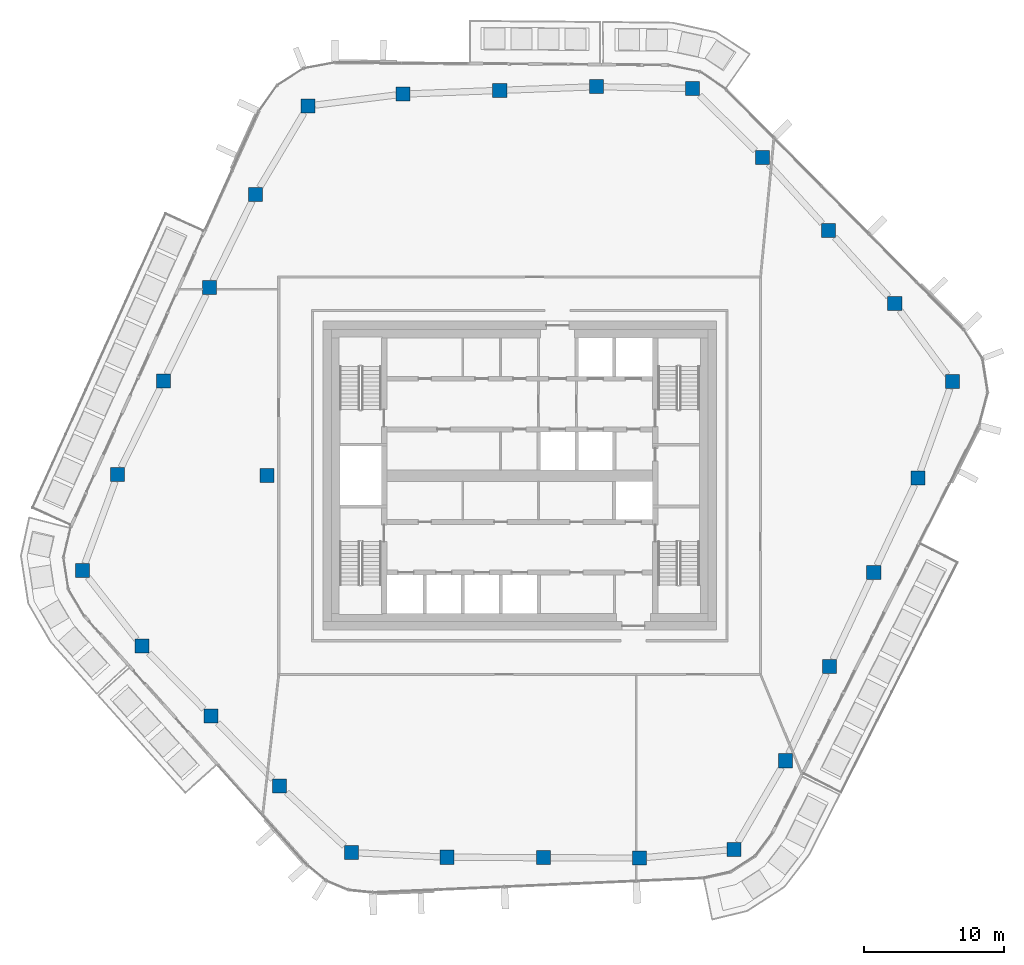
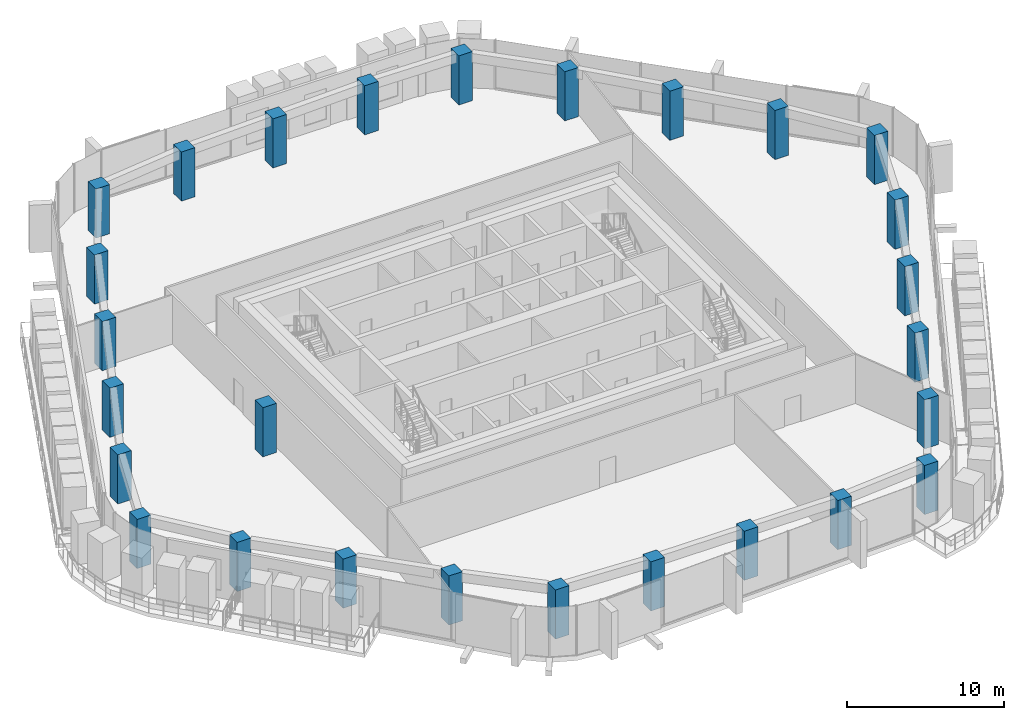
# One storey, part 1 of 23: 27 columns.
"""IFC4 building model written with IfcOpenShell, lengths in metres."""

from ifc_helpers import new_model, si_unit, direction, frame, origin, origin_2d, place, context, subcontext, project, spatial, rectangle, extrude, material, material_profile, profile_set, type_object, element, save


model = new_model("IFC4")

# Units and contexts
model_context = context("Model", 3, precision=1e-05, world=origin(), true_north=direction((0.0, 1.0)))
body_context = subcontext(model_context, "Body", "Model", "MODEL_VIEW")
ifc_project = project(units=[si_unit("LENGTHUNIT", "METRE"), si_unit("AREAUNIT", "SQUARE_METRE"), si_unit("VOLUMEUNIT", "CUBIC_METRE"), si_unit("PLANEANGLEUNIT", "RADIAN"), si_unit("MASSUNIT", "GRAM", prefix="KILO")], contexts=[model_context])

# Site, building, storey
site_placement = place(None, origin())
site = spatial("IfcSite", under=ifc_project, at=site_placement, CompositionType="ELEMENT")
building_placement = place(site_placement, origin())
building = spatial("IfcBuilding", under=site, at=building_placement, Name="Dongbaek Canopy Tower", CompositionType="ELEMENT")
storey_placement = place(building_placement, frame((0.0, 0.0, 323.60009765625)))
storey = spatial("IfcBuildingStorey", under=building, at=storey_placement, Name="L69", CompositionType="ELEMENT", Elevation=323.60009765625)

# Columns
ifc_material = material(Name="Concrete C60", Category="concrete")
ifc_material_profile = material_profile(ifc_material, rectangle(XDim=1.0, YDim=1.0, at=origin_2d()), Name="RC COLUMN 1000x1000 C60")
ifc_profile_set = profile_set([ifc_material_profile], Name="Concrete C60")
column_type = type_object("IfcColumnType", Name="RC COLUMN 1000x1000 C60", PredefinedType="COLUMN", material=ifc_profile_set)
for number, where, z_axis, x_axis, name in (
    (1, (15.251953125, -26.60693359375, 0.0), (0.0, 0.0, 1.0), (1.0, 0.0, 0.0), "COL:CZ5-01:L69"),
    (2, (8.533935546875, -27.22705078125, 0.0), (0.0, 0.0, 1.0), (1.0, 0.0, 0.0), "COL:CZ5-02:L69"),
    (3, (1.68310546875, -27.197021484375, 0.0), (0.0, 0.0, 1.0), (1.0, 0.0, 0.0), "COL:CZ5-03:L69"),
    (4, (-5.166015625, -27.1669921875, 0.0), (0.0, 0.0, 1.0), (1.0, 0.0, 0.0), "COL:CZ5-04:L69"),
    (5, (-11.985107421875, -26.8310546875, 0.0), (0.0, 0.0, 1.0), (1.0, 0.0, 0.0), "COL:CZ5-05:L69"),
    (6, (-17.083984375, -22.089111328125, 0.0), (0.0, 0.0, 1.0), (1.0, 0.0, 0.0), "COL:CZ5-06:L69"),
    (7, (-21.986083984375, -17.112060546875, 0.0), (0.0, 0.0, 1.0), (1.0, 0.0, 0.0), "COL:CZ5-07:L69"),
    (8, (-26.888916015625, -12.134033203125, 0.0), (0.0, 0.0, 1.0), (1.0, 0.0, 0.0), "COL:CZ5-08:L69"),
    (9, (-31.12890625, -6.7451171875, 0.0), (0.0, 0.0, 1.0), (1.0, 0.0, 0.0), "COL:CZ5-09:L69"),
    (10, (-28.616943359375, 0.0859375, 0.0), (0.0, 0.0, 1.0), (1.0, 0.0, 0.0), "COL:CZ5-10:L69"),
    (11, (-25.346923828125, 6.735107421875, 0.0), (0.0, 0.0, 1.0), (1.0, 0.0, 0.0), "COL:CZ5-11:L69"),
    (12, (-22.075927734375, 13.384033203125, 0.0), (0.0, 0.0, 1.0), (1.0, 0.0, 0.0), "COL:CZ5-12:L69"),
    (13, (-18.805908203125, 20.031982421875, 0.0), (0.0, 0.0, 1.0), (1.0, 0.0, 0.0), "COL:CZ5-13:L69"),
    (14, (-15.06201171875, 26.321044921875, 0.0), (0.0, 0.0, 1.0), (1.0, 0.0, 0.0), "COL:CZ5-14:L69"),
    (15, (-8.30908203125, 27.1640625, 0.0), (0.0, 0.0, 1.0), (1.0, 0.0, 0.0), "COL:CZ5-15:L69"),
    (16, (-1.41796875, 27.427978515625, 0.0), (0.0, 0.0, 1.0), (1.0, 0.0, 0.0), "COL:CZ5-16:L69"),
    (17, (5.470947265625, 27.69189453125, 0.0), (0.0, 0.0, 1.0), (1.0, 0.0, 0.0), "COL:CZ5-17:L69"),
    (18, (12.31396484375, 27.56298828125, 0.0), (0.0, 0.0, 1.0), (1.0, 0.0, 0.0), "COL:CZ5-18:L69"),
    (19, (17.27587890625, 22.666015625, 0.0), (0.0, 0.0, 1.0), (1.0, 0.0, 0.0), "COL:CZ5-19:L69"),
    (20, (21.989990234375, 17.4619140625, 0.0), (0.0, 0.0, 1.0), (1.0, 0.0, 0.0), "COL:CZ5-20:L69"),
    (21, (26.702880859375, 12.257080078125, 0.0), (0.0, 0.0, 1.0), (1.0, 0.0, 0.0), "COL:CZ5-21:L69"),
    (22, (30.804931640625, 6.697998046875, 0.0), (0.0, 0.0, 1.0), (1.0, 0.0, 0.0), "COL:CZ5-22:L69"),
    (23, (28.35107421875, -0.169921875, 0.0), (0.0, 0.0, 1.0), (1.0, 0.0, 0.0), "COL:CZ5-23:L69"),
    (24, (25.2099609375, -6.87890625, 0.0), (0.0, 0.0, 1.0), (1.0, 0.0, 0.0), "COL:CZ5-24:L69"),
    (25, (22.068115234375, -13.587890625, 0.0), (0.0, 0.0, 1.0), (1.0, 0.0, 0.0), "COL:CZ5-25:L69"),
    (26, (18.925048828125, -20.2958984375, 0.0), (0.0, 0.0, 1.0), (1.0, 0.0, 0.0), "COL:CZ5-26:L69"),
    (27, (-18.0, 0.0, 0.0), (0.0, 0.0, 1.0), (1.0, 0.0, 0.0), "COL:CIZ5-01:L69"),
):
    element("IfcColumn", number, at=place(storey_placement, frame(where, z_axis=z_axis, x_axis=x_axis)), inside=storey, type_object=column_type, Name=name, PredefinedType="COLUMN", context=body_context, shape_type="SweptSolid", body=[
        extrude(rectangle(XDim=1.0, YDim=1.0, at=origin_2d()), origin(), (0.0, 0.0, 1.0), 3.81982421875),
    ])

save(model, "model.ifc")
